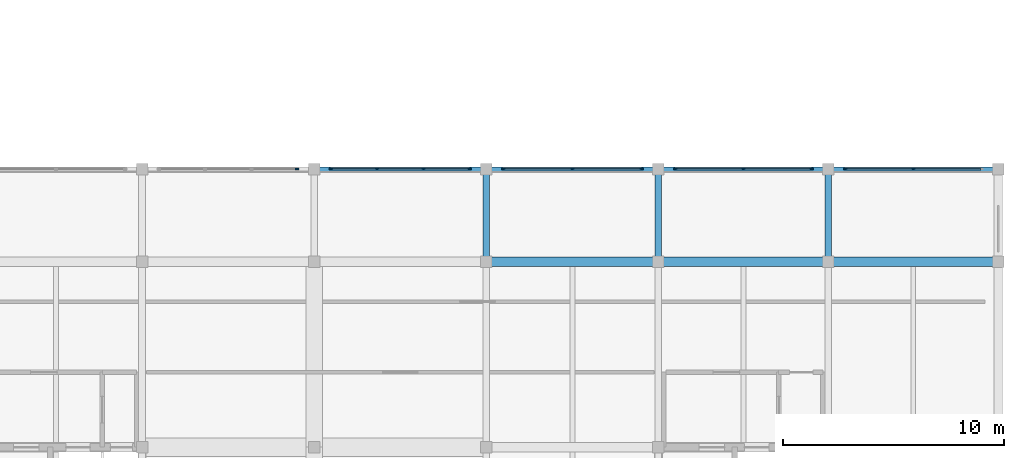
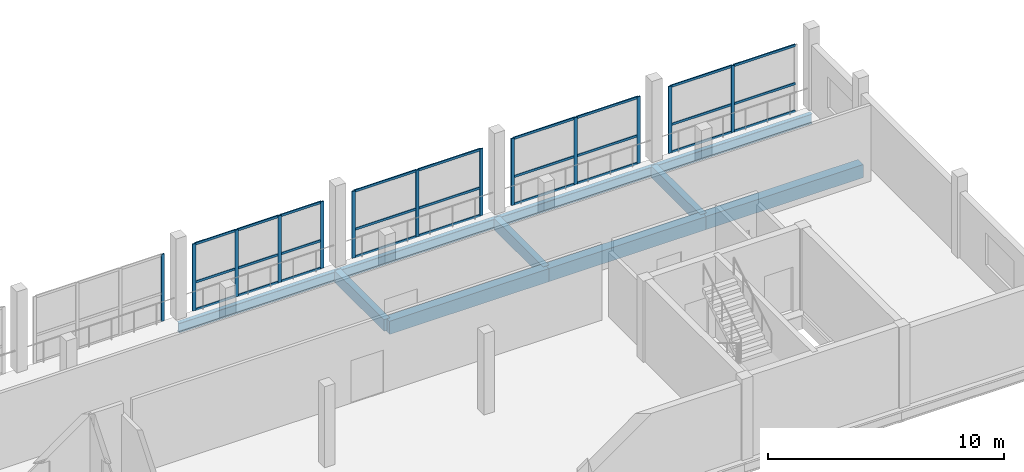
# One storey, part 30 of 53: 40 members, 10 beams, 5 elements without a shape of their own.
"""IFC4 building model written with IfcOpenShell, lengths in metres."""

from ifc_helpers import new_model, si_unit, direction, frame, origin, origin_2d, place, context, subcontext, project, spatial, rectangle, i_section, extrude, material, material_profile, profile_set, type_object, element, aggregate, save


model = new_model("IFC4")

# Units and contexts
model_context = context("Model", 3, precision=1e-05, world=origin(), true_north=direction((0.0, 1.0)))
body_context = subcontext(model_context, "Body", "Model", "MODEL_VIEW")
ifc_project = project(units=[si_unit("LENGTHUNIT", "METRE"), si_unit("AREAUNIT", "SQUARE_METRE"), si_unit("VOLUMEUNIT", "CUBIC_METRE"), si_unit("PLANEANGLEUNIT", "RADIAN"), si_unit("MASSUNIT", "GRAM", prefix="KILO")], contexts=[model_context])

# Site, building, storey
site_placement = place(None, origin())
site = spatial("IfcSite", under=ifc_project, at=site_placement, CompositionType="ELEMENT")
building_placement = place(site_placement, origin())
building = spatial("IfcBuilding", under=site, at=building_placement, Name="Vharandega Faculty of Natural Sciences", CompositionType="ELEMENT")
storey_placement = place(building_placement, frame((0.0, 0.0, 10.199951171875)))
storey = spatial("IfcBuildingStorey", under=building, at=storey_placement, Name="L02", CompositionType="ELEMENT", Elevation=10.199951171875)

# Curtain wall, member
ifc_material_1 = material(Name="Aluminium and solar-control glass curtain wall", Category="aluminium")
curtain_wall_type_1 = type_object("IfcCurtainWallType", Name="Unitised Curtain Wall System CW-10", PredefinedType="NOTDEFINED", material=ifc_material_1)
curtain_wall_1_placement = place(storey_placement, origin())
curtain_wall_1 = element("IfcCurtainWall", 1, at=curtain_wall_1_placement, inside=storey, type_object=curtain_wall_type_1, Name="Curtain Wall CW-L02-009", PredefinedType="NOTDEFINED")
ifc_material_2 = material(Name="Thermally broken aluminium 6063-T6", Category="aluminium")
ifc_material_profile_1 = material_profile(ifc_material_2, rectangle(XDim=0.06005859375, YDim=0.159912109375, at=origin_2d()), Name="ALU 60x160")
ifc_profile_set_1 = profile_set([ifc_material_profile_1], Name="Thermally broken aluminium 6063-T6")
member_type_1 = type_object("IfcMemberType", Name="CW Mullion 60x160", PredefinedType="MULLION", material=ifc_profile_set_1)
member_1_placement = place(storey_placement, frame((129.6298828125, 85.0, 0.0), z_axis=(0.0, 0.0, 1.0), x_axis=(0.0, 1.0, 0.0)))
member_1 = element("IfcMember", 2, at=member_1_placement, type_object=member_type_1, Name="CW-10 mullion 4", PredefinedType="MULLION", context=body_context, shape_type="SweptSolid", body=[
    extrude(rectangle(XDim=0.06005859375, YDim=0.159912109375, at=origin_2d()), origin(), (0.0, 0.0, 1.0), 3.4599609375),
])
aggregate(curtain_wall_1, [member_1])

# Curtain wall, members
ifc_material_3 = material(Name="Aluminium and solar-control glass curtain wall", Category="aluminium")
curtain_wall_type_2 = type_object("IfcCurtainWallType", Name="Unitised Curtain Wall System CW-11", PredefinedType="NOTDEFINED", material=ifc_material_3)
curtain_wall_2_placement = place(storey_placement, origin())
curtain_wall_2 = element("IfcCurtainWall", 3, at=curtain_wall_2_placement, inside=storey, type_object=curtain_wall_type_2, Name="Curtain Wall CW-L02-010", PredefinedType="NOTDEFINED")
member_2_placement = place(storey_placement, frame((131.169921875, 85.0, 0.0), z_axis=(0.0, 0.0, 1.0), x_axis=(0.0, 1.0, 0.0)))
member_2 = element("IfcMember", 4, at=member_2_placement, type_object=member_type_1, Name="CW-11 mullion 1", PredefinedType="MULLION", context=body_context, shape_type="SweptSolid", body=[
    extrude(rectangle(XDim=0.06005859375, YDim=0.159912109375, at=origin_2d()), origin(), (0.0, 0.0, 1.0), 3.4599609375),
])
member_3_placement = place(storey_placement, frame((133.24658203125, 85.0, 0.0), z_axis=(0.0, 0.0, 1.0), x_axis=(0.0, 1.0, 0.0)))
member_3 = element("IfcMember", 5, at=member_3_placement, type_object=member_type_1, Name="CW-11 mullion 2", PredefinedType="MULLION", context=body_context, shape_type="SweptSolid", body=[
    extrude(rectangle(XDim=0.06005859375, YDim=0.159912109375, at=origin_2d()), origin(), (0.0, 0.0, 1.0), 3.4599609375),
])
member_4_placement = place(storey_placement, frame((135.353271484375, 85.0, 0.0), z_axis=(0.0, 0.0, 1.0), x_axis=(0.0, 1.0, 0.0)))
member_4 = element("IfcMember", 6, at=member_4_placement, type_object=member_type_1, Name="CW-11 mullion 3", PredefinedType="MULLION", context=body_context, shape_type="SweptSolid", body=[
    extrude(rectangle(XDim=0.06005859375, YDim=0.159912109375, at=origin_2d()), origin(), (0.0, 0.0, 1.0), 3.4599609375),
])
member_5_placement = place(storey_placement, frame((137.429931640625, 85.0, 0.0), z_axis=(0.0, 0.0, 1.0), x_axis=(0.0, 1.0, 0.0)))
member_5 = element("IfcMember", 7, at=member_5_placement, type_object=member_type_1, Name="CW-11 mullion 4", PredefinedType="MULLION", context=body_context, shape_type="SweptSolid", body=[
    extrude(rectangle(XDim=0.06005859375, YDim=0.159912109375, at=origin_2d()), origin(), (0.0, 0.0, 1.0), 3.4599609375),
])

ifc_material_4 = material(Name="Aluminium and solar-control glass curtain wall", Category="aluminium")
curtain_wall_type_3 = type_object("IfcCurtainWallType", Name="Unitised Curtain Wall System CW-12", PredefinedType="NOTDEFINED", material=ifc_material_4)
curtain_wall_3_placement = place(storey_placement, origin())
curtain_wall_3 = element("IfcCurtainWall", 8, at=curtain_wall_3_placement, inside=storey, type_object=curtain_wall_type_3, Name="Curtain Wall CW-L02-011", PredefinedType="NOTDEFINED")
member_6_placement = place(storey_placement, frame((138.969970703125, 85.0, 0.0), z_axis=(0.0, 0.0, 1.0), x_axis=(0.0, 1.0, 0.0)))
member_6 = element("IfcMember", 9, at=member_6_placement, type_object=member_type_1, Name="CW-12 mullion 1", PredefinedType="MULLION", context=body_context, shape_type="SweptSolid", body=[
    extrude(rectangle(XDim=0.06005859375, YDim=0.159912109375, at=origin_2d()), origin(), (0.0, 0.0, 1.0), 3.4599609375),
])
member_7_placement = place(storey_placement, frame((142.10009765625, 85.0, 0.0), z_axis=(0.0, 0.0, 1.0), x_axis=(0.0, 1.0, 0.0)))
member_7 = element("IfcMember", 10, at=member_7_placement, type_object=member_type_1, Name="CW-12 mullion 2", PredefinedType="MULLION", context=body_context, shape_type="SweptSolid", body=[
    extrude(rectangle(XDim=0.06005859375, YDim=0.159912109375, at=origin_2d()), origin(), (0.0, 0.0, 1.0), 3.4599609375),
])
member_8_placement = place(storey_placement, frame((145.22998046875, 85.0, 0.0), z_axis=(0.0, 0.0, 1.0), x_axis=(0.0, 1.0, 0.0)))
member_8 = element("IfcMember", 11, at=member_8_placement, type_object=member_type_1, Name="CW-12 mullion 3", PredefinedType="MULLION", context=body_context, shape_type="SweptSolid", body=[
    extrude(rectangle(XDim=0.06005859375, YDim=0.159912109375, at=origin_2d()), origin(), (0.0, 0.0, 1.0), 3.4599609375),
])

ifc_material_5 = material(Name="Aluminium and solar-control glass curtain wall", Category="aluminium")
curtain_wall_type_4 = type_object("IfcCurtainWallType", Name="Unitised Curtain Wall System CW-13", PredefinedType="NOTDEFINED", material=ifc_material_5)
curtain_wall_4_placement = place(storey_placement, origin())
curtain_wall_4 = element("IfcCurtainWall", 12, at=curtain_wall_4_placement, inside=storey, type_object=curtain_wall_type_4, Name="Curtain Wall CW-L02-012", PredefinedType="NOTDEFINED")
member_9_placement = place(storey_placement, frame((146.77001953125, 85.0, 0.0), z_axis=(0.0, 0.0, 1.0), x_axis=(0.0, 1.0, 0.0)))
member_9 = element("IfcMember", 13, at=member_9_placement, type_object=member_type_1, Name="CW-13 mullion 1", PredefinedType="MULLION", context=body_context, shape_type="SweptSolid", body=[
    extrude(rectangle(XDim=0.06005859375, YDim=0.159912109375, at=origin_2d()), origin(), (0.0, 0.0, 1.0), 3.4599609375),
])
member_10_placement = place(storey_placement, frame((149.85009765625, 85.0, 0.0), z_axis=(0.0, 0.0, 1.0), x_axis=(0.0, 1.0, 0.0)))
member_10 = element("IfcMember", 14, at=member_10_placement, type_object=member_type_1, Name="CW-13 mullion 2", PredefinedType="MULLION", context=body_context, shape_type="SweptSolid", body=[
    extrude(rectangle(XDim=0.06005859375, YDim=0.159912109375, at=origin_2d()), origin(), (0.0, 0.0, 1.0), 3.4599609375),
])
member_11_placement = place(storey_placement, frame((152.929931640625, 85.0, 0.0), z_axis=(0.0, 0.0, 1.0), x_axis=(0.0, 1.0, 0.0)))
member_11 = element("IfcMember", 15, at=member_11_placement, type_object=member_type_1, Name="CW-13 mullion 3", PredefinedType="MULLION", context=body_context, shape_type="SweptSolid", body=[
    extrude(rectangle(XDim=0.06005859375, YDim=0.159912109375, at=origin_2d()), origin(), (0.0, 0.0, 1.0), 3.4599609375),
])

ifc_material_6 = material(Name="Aluminium and solar-control glass curtain wall", Category="aluminium")
curtain_wall_type_5 = type_object("IfcCurtainWallType", Name="Unitised Curtain Wall System CW-14", PredefinedType="NOTDEFINED", material=ifc_material_6)
curtain_wall_5_placement = place(storey_placement, origin())
curtain_wall_5 = element("IfcCurtainWall", 16, at=curtain_wall_5_placement, inside=storey, type_object=curtain_wall_type_5, Name="Curtain Wall CW-L02-013", PredefinedType="NOTDEFINED")
member_12_placement = place(storey_placement, frame((154.469970703125, 85.0, 0.0), z_axis=(0.0, 0.0, 1.0), x_axis=(0.0, 1.0, 0.0)))
member_12 = element("IfcMember", 17, at=member_12_placement, type_object=member_type_1, Name="CW-14 mullion 1", PredefinedType="MULLION", context=body_context, shape_type="SweptSolid", body=[
    extrude(rectangle(XDim=0.06005859375, YDim=0.159912109375, at=origin_2d()), origin(), (0.0, 0.0, 1.0), 3.4599609375),
])
member_13_placement = place(storey_placement, frame((157.550048828125, 85.0, 0.0), z_axis=(0.0, 0.0, 1.0), x_axis=(0.0, 1.0, 0.0)))
member_13 = element("IfcMember", 18, at=member_13_placement, type_object=member_type_1, Name="CW-14 mullion 2", PredefinedType="MULLION", context=body_context, shape_type="SweptSolid", body=[
    extrude(rectangle(XDim=0.06005859375, YDim=0.159912109375, at=origin_2d()), origin(), (0.0, 0.0, 1.0), 3.4599609375),
])

# Member
ifc_material_7 = material(Name="Thermally broken aluminium 6063-T6", Category="aluminium")
ifc_material_profile_2 = material_profile(ifc_material_7, rectangle(XDim=0.06005859375, YDim=0.1201171875, at=origin_2d()), Name="ALU 60x120")
ifc_profile_set_2 = profile_set([ifc_material_profile_2], Name="Thermally broken aluminium 6063-T6")
member_type_2 = type_object("IfcMemberType", Name="CW Transom 60x120", PredefinedType="USERDEFINED", material=ifc_profile_set_2)
member_14_placement = place(storey_placement, frame((131.199951171875, 85.0, 0.030029296875), z_axis=(1.0, 0.0, 0.0), x_axis=(0.0, 1.0, 0.0)))
member_14 = element("IfcMember", 19, at=member_14_placement, type_object=member_type_2, Name="CW-11 transom 1.1", ObjectType="TRANSOM", PredefinedType="USERDEFINED", context=body_context, shape_type="SweptSolid", body=[
    extrude(rectangle(XDim=0.06005859375, YDim=0.1201171875, at=origin_2d()), origin(), (0.0, 0.0, 1.0), 2.0166015625),
])

member_15_placement = place(storey_placement, frame((131.199951171875, 85.0, 1.453369140625), z_axis=(1.0, 0.0, 0.0), x_axis=(0.0, 1.0, 0.0)))
member_15 = element("IfcMember", 20, at=member_15_placement, type_object=member_type_2, Name="CW-11 transom 1.2", ObjectType="TRANSOM", PredefinedType="USERDEFINED", context=body_context, shape_type="SweptSolid", body=[
    extrude(rectangle(XDim=0.06005859375, YDim=0.1201171875, at=origin_2d()), origin(), (0.0, 0.0, 1.0), 2.0166015625),
])

member_16_placement = place(storey_placement, frame((131.199951171875, 85.0, 3.429931640625), z_axis=(1.0, 0.0, 0.0), x_axis=(0.0, 1.0, 0.0)))
member_16 = element("IfcMember", 21, at=member_16_placement, type_object=member_type_2, Name="CW-11 transom 1.3", ObjectType="TRANSOM", PredefinedType="USERDEFINED", context=body_context, shape_type="SweptSolid", body=[
    extrude(rectangle(XDim=0.06005859375, YDim=0.1201171875, at=origin_2d()), origin(), (0.0, 0.0, 1.0), 2.0166015625),
])

member_17_placement = place(storey_placement, frame((133.276611328125, 85.0, 0.030029296875), z_axis=(1.0, 0.0, 0.0), x_axis=(0.0, 1.0, 0.0)))
member_17 = element("IfcMember", 22, at=member_17_placement, type_object=member_type_2, Name="CW-11 transom 2.1", ObjectType="TRANSOM", PredefinedType="USERDEFINED", context=body_context, shape_type="SweptSolid", body=[
    extrude(rectangle(XDim=0.06005859375, YDim=0.1201171875, at=origin_2d()), origin(), (0.0, 0.0, 1.0), 2.046630859375),
])

member_18_placement = place(storey_placement, frame((133.276611328125, 85.0, 1.453369140625), z_axis=(1.0, 0.0, 0.0), x_axis=(0.0, 1.0, 0.0)))
member_18 = element("IfcMember", 23, at=member_18_placement, type_object=member_type_2, Name="CW-11 transom 2.2", ObjectType="TRANSOM", PredefinedType="USERDEFINED", context=body_context, shape_type="SweptSolid", body=[
    extrude(rectangle(XDim=0.06005859375, YDim=0.1201171875, at=origin_2d()), origin(), (0.0, 0.0, 1.0), 2.046630859375),
])

member_19_placement = place(storey_placement, frame((133.276611328125, 85.0, 3.429931640625), z_axis=(1.0, 0.0, 0.0), x_axis=(0.0, 1.0, 0.0)))
member_19 = element("IfcMember", 24, at=member_19_placement, type_object=member_type_2, Name="CW-11 transom 2.3", ObjectType="TRANSOM", PredefinedType="USERDEFINED", context=body_context, shape_type="SweptSolid", body=[
    extrude(rectangle(XDim=0.06005859375, YDim=0.1201171875, at=origin_2d()), origin(), (0.0, 0.0, 1.0), 2.046630859375),
])

member_20_placement = place(storey_placement, frame((135.38330078125, 85.0, 0.030029296875), z_axis=(1.0, 0.0, 0.0), x_axis=(0.0, 1.0, 0.0)))
member_20 = element("IfcMember", 25, at=member_20_placement, type_object=member_type_2, Name="CW-11 transom 3.1", ObjectType="TRANSOM", PredefinedType="USERDEFINED", context=body_context, shape_type="SweptSolid", body=[
    extrude(rectangle(XDim=0.06005859375, YDim=0.1201171875, at=origin_2d()), origin(), (0.0, 0.0, 1.0), 2.0166015625),
])

member_21_placement = place(storey_placement, frame((135.38330078125, 85.0, 1.453369140625), z_axis=(1.0, 0.0, 0.0), x_axis=(0.0, 1.0, 0.0)))
member_21 = element("IfcMember", 26, at=member_21_placement, type_object=member_type_2, Name="CW-11 transom 3.2", ObjectType="TRANSOM", PredefinedType="USERDEFINED", context=body_context, shape_type="SweptSolid", body=[
    extrude(rectangle(XDim=0.06005859375, YDim=0.1201171875, at=origin_2d()), origin(), (0.0, 0.0, 1.0), 2.0166015625),
])

member_22_placement = place(storey_placement, frame((135.38330078125, 85.0, 3.429931640625), z_axis=(1.0, 0.0, 0.0), x_axis=(0.0, 1.0, 0.0)))
member_22 = element("IfcMember", 27, at=member_22_placement, type_object=member_type_2, Name="CW-11 transom 3.3", ObjectType="TRANSOM", PredefinedType="USERDEFINED", context=body_context, shape_type="SweptSolid", body=[
    extrude(rectangle(XDim=0.06005859375, YDim=0.1201171875, at=origin_2d()), origin(), (0.0, 0.0, 1.0), 2.0166015625),
])

aggregate(curtain_wall_2, [member_2, member_3, member_4, member_5, member_14, member_15, member_16, member_17, member_18, member_19, member_20, member_21, member_22])

member_23_placement = place(storey_placement, frame((139.0, 85.0, 0.030029296875), z_axis=(1.0, 0.0, 0.0), x_axis=(0.0, 1.0, 0.0)))
member_23 = element("IfcMember", 28, at=member_23_placement, type_object=member_type_2, Name="CW-12 transom 1.1", ObjectType="TRANSOM", PredefinedType="USERDEFINED", context=body_context, shape_type="SweptSolid", body=[
    extrude(rectangle(XDim=0.06005859375, YDim=0.1201171875, at=origin_2d()), origin(), (0.0, 0.0, 1.0), 3.070068359375),
])

member_24_placement = place(storey_placement, frame((139.0, 85.0, 1.453369140625), z_axis=(1.0, 0.0, 0.0), x_axis=(0.0, 1.0, 0.0)))
member_24 = element("IfcMember", 29, at=member_24_placement, type_object=member_type_2, Name="CW-12 transom 1.2", ObjectType="TRANSOM", PredefinedType="USERDEFINED", context=body_context, shape_type="SweptSolid", body=[
    extrude(rectangle(XDim=0.06005859375, YDim=0.1201171875, at=origin_2d()), origin(), (0.0, 0.0, 1.0), 3.070068359375),
])

member_25_placement = place(storey_placement, frame((139.0, 85.0, 3.429931640625), z_axis=(1.0, 0.0, 0.0), x_axis=(0.0, 1.0, 0.0)))
member_25 = element("IfcMember", 30, at=member_25_placement, type_object=member_type_2, Name="CW-12 transom 1.3", ObjectType="TRANSOM", PredefinedType="USERDEFINED", context=body_context, shape_type="SweptSolid", body=[
    extrude(rectangle(XDim=0.06005859375, YDim=0.1201171875, at=origin_2d()), origin(), (0.0, 0.0, 1.0), 3.070068359375),
])

member_26_placement = place(storey_placement, frame((142.1298828125, 85.0, 0.030029296875), z_axis=(1.0, 0.0, 0.0), x_axis=(0.0, 1.0, 0.0)))
member_26 = element("IfcMember", 31, at=member_26_placement, type_object=member_type_2, Name="CW-12 transom 2.1", ObjectType="TRANSOM", PredefinedType="USERDEFINED", context=body_context, shape_type="SweptSolid", body=[
    extrude(rectangle(XDim=0.06005859375, YDim=0.1201171875, at=origin_2d()), origin(), (0.0, 0.0, 1.0), 3.070068359375),
])

member_27_placement = place(storey_placement, frame((142.1298828125, 85.0, 1.453369140625), z_axis=(1.0, 0.0, 0.0), x_axis=(0.0, 1.0, 0.0)))
member_27 = element("IfcMember", 32, at=member_27_placement, type_object=member_type_2, Name="CW-12 transom 2.2", ObjectType="TRANSOM", PredefinedType="USERDEFINED", context=body_context, shape_type="SweptSolid", body=[
    extrude(rectangle(XDim=0.06005859375, YDim=0.1201171875, at=origin_2d()), origin(), (0.0, 0.0, 1.0), 3.070068359375),
])

member_28_placement = place(storey_placement, frame((142.1298828125, 85.0, 3.429931640625), z_axis=(1.0, 0.0, 0.0), x_axis=(0.0, 1.0, 0.0)))
member_28 = element("IfcMember", 33, at=member_28_placement, type_object=member_type_2, Name="CW-12 transom 2.3", ObjectType="TRANSOM", PredefinedType="USERDEFINED", context=body_context, shape_type="SweptSolid", body=[
    extrude(rectangle(XDim=0.06005859375, YDim=0.1201171875, at=origin_2d()), origin(), (0.0, 0.0, 1.0), 3.070068359375),
])

aggregate(curtain_wall_3, [member_6, member_7, member_8, member_23, member_24, member_25, member_26, member_27, member_28])

member_29_placement = place(storey_placement, frame((146.800048828125, 85.0, 0.030029296875), z_axis=(1.0, 0.0, 0.0), x_axis=(0.0, 1.0, 0.0)))
member_29 = element("IfcMember", 34, at=member_29_placement, type_object=member_type_2, Name="CW-13 transom 1.1", ObjectType="TRANSOM", PredefinedType="USERDEFINED", context=body_context, shape_type="SweptSolid", body=[
    extrude(rectangle(XDim=0.06005859375, YDim=0.1201171875, at=origin_2d()), origin(), (0.0, 0.0, 1.0), 3.02001953125),
])

member_30_placement = place(storey_placement, frame((146.800048828125, 85.0, 1.453369140625), z_axis=(1.0, 0.0, 0.0), x_axis=(0.0, 1.0, 0.0)))
member_30 = element("IfcMember", 35, at=member_30_placement, type_object=member_type_2, Name="CW-13 transom 1.2", ObjectType="TRANSOM", PredefinedType="USERDEFINED", context=body_context, shape_type="SweptSolid", body=[
    extrude(rectangle(XDim=0.06005859375, YDim=0.1201171875, at=origin_2d()), origin(), (0.0, 0.0, 1.0), 3.02001953125),
])

member_31_placement = place(storey_placement, frame((146.800048828125, 85.0, 3.429931640625), z_axis=(1.0, 0.0, 0.0), x_axis=(0.0, 1.0, 0.0)))
member_31 = element("IfcMember", 36, at=member_31_placement, type_object=member_type_2, Name="CW-13 transom 1.3", ObjectType="TRANSOM", PredefinedType="USERDEFINED", context=body_context, shape_type="SweptSolid", body=[
    extrude(rectangle(XDim=0.06005859375, YDim=0.1201171875, at=origin_2d()), origin(), (0.0, 0.0, 1.0), 3.02001953125),
])

member_32_placement = place(storey_placement, frame((149.8798828125, 85.0, 0.030029296875), z_axis=(1.0, 0.0, 0.0), x_axis=(0.0, 1.0, 0.0)))
member_32 = element("IfcMember", 37, at=member_32_placement, type_object=member_type_2, Name="CW-13 transom 2.1", ObjectType="TRANSOM", PredefinedType="USERDEFINED", context=body_context, shape_type="SweptSolid", body=[
    extrude(rectangle(XDim=0.06005859375, YDim=0.1201171875, at=origin_2d()), origin(), (0.0, 0.0, 1.0), 3.02001953125),
])

member_33_placement = place(storey_placement, frame((149.8798828125, 85.0, 1.453369140625), z_axis=(1.0, 0.0, 0.0), x_axis=(0.0, 1.0, 0.0)))
member_33 = element("IfcMember", 38, at=member_33_placement, type_object=member_type_2, Name="CW-13 transom 2.2", ObjectType="TRANSOM", PredefinedType="USERDEFINED", context=body_context, shape_type="SweptSolid", body=[
    extrude(rectangle(XDim=0.06005859375, YDim=0.1201171875, at=origin_2d()), origin(), (0.0, 0.0, 1.0), 3.02001953125),
])

member_34_placement = place(storey_placement, frame((149.8798828125, 85.0, 3.429931640625), z_axis=(1.0, 0.0, 0.0), x_axis=(0.0, 1.0, 0.0)))
member_34 = element("IfcMember", 39, at=member_34_placement, type_object=member_type_2, Name="CW-13 transom 2.3", ObjectType="TRANSOM", PredefinedType="USERDEFINED", context=body_context, shape_type="SweptSolid", body=[
    extrude(rectangle(XDim=0.06005859375, YDim=0.1201171875, at=origin_2d()), origin(), (0.0, 0.0, 1.0), 3.02001953125),
])

aggregate(curtain_wall_4, [member_9, member_10, member_11, member_29, member_30, member_31, member_32, member_33, member_34])

member_35_placement = place(storey_placement, frame((154.5, 85.0, 0.030029296875), z_axis=(1.0, 0.0, 0.0), x_axis=(0.0, 1.0, 0.0)))
member_35 = element("IfcMember", 40, at=member_35_placement, type_object=member_type_2, Name="CW-14 transom 1.1", ObjectType="TRANSOM", PredefinedType="USERDEFINED", context=body_context, shape_type="SweptSolid", body=[
    extrude(rectangle(XDim=0.06005859375, YDim=0.1201171875, at=origin_2d()), origin(), (0.0, 0.0, 1.0), 3.02001953125),
])

member_36_placement = place(storey_placement, frame((154.5, 85.0, 1.453369140625), z_axis=(1.0, 0.0, 0.0), x_axis=(0.0, 1.0, 0.0)))
member_36 = element("IfcMember", 41, at=member_36_placement, type_object=member_type_2, Name="CW-14 transom 1.2", ObjectType="TRANSOM", PredefinedType="USERDEFINED", context=body_context, shape_type="SweptSolid", body=[
    extrude(rectangle(XDim=0.06005859375, YDim=0.1201171875, at=origin_2d()), origin(), (0.0, 0.0, 1.0), 3.02001953125),
])

member_37_placement = place(storey_placement, frame((154.5, 85.0, 3.429931640625), z_axis=(1.0, 0.0, 0.0), x_axis=(0.0, 1.0, 0.0)))
member_37 = element("IfcMember", 42, at=member_37_placement, type_object=member_type_2, Name="CW-14 transom 1.3", ObjectType="TRANSOM", PredefinedType="USERDEFINED", context=body_context, shape_type="SweptSolid", body=[
    extrude(rectangle(XDim=0.06005859375, YDim=0.1201171875, at=origin_2d()), origin(), (0.0, 0.0, 1.0), 3.02001953125),
])

member_38_placement = place(storey_placement, frame((157.580078125, 85.0, 0.030029296875), z_axis=(1.0, 0.0, 0.0), x_axis=(0.0, 1.0, 0.0)))
member_38 = element("IfcMember", 43, at=member_38_placement, type_object=member_type_2, Name="CW-14 transom 2.1", ObjectType="TRANSOM", PredefinedType="USERDEFINED", context=body_context, shape_type="SweptSolid", body=[
    extrude(rectangle(XDim=0.06005859375, YDim=0.1201171875, at=origin_2d()), origin(), (0.0, 0.0, 1.0), 3.02001953125),
])

member_39_placement = place(storey_placement, frame((157.580078125, 85.0, 1.453369140625), z_axis=(1.0, 0.0, 0.0), x_axis=(0.0, 1.0, 0.0)))
member_39 = element("IfcMember", 44, at=member_39_placement, type_object=member_type_2, Name="CW-14 transom 2.2", ObjectType="TRANSOM", PredefinedType="USERDEFINED", context=body_context, shape_type="SweptSolid", body=[
    extrude(rectangle(XDim=0.06005859375, YDim=0.1201171875, at=origin_2d()), origin(), (0.0, 0.0, 1.0), 3.02001953125),
])

member_40_placement = place(storey_placement, frame((157.580078125, 85.0, 3.429931640625), z_axis=(1.0, 0.0, 0.0), x_axis=(0.0, 1.0, 0.0)))
member_40 = element("IfcMember", 45, at=member_40_placement, type_object=member_type_2, Name="CW-14 transom 2.3", ObjectType="TRANSOM", PredefinedType="USERDEFINED", context=body_context, shape_type="SweptSolid", body=[
    extrude(rectangle(XDim=0.06005859375, YDim=0.1201171875, at=origin_2d()), origin(), (0.0, 0.0, 1.0), 3.02001953125),
])

aggregate(curtain_wall_5, [member_12, member_13, member_35, member_36, member_37, member_38, member_39, member_40])

# Beams
ifc_material_8 = material(Name="Glulam GL28h", Category="wood")
ifc_material_profile_3 = material_profile(ifc_material_8, rectangle(XDim=0.300048828125, YDim=0.60009765625, at=origin_2d()), Name="GL28h 300x600")
ifc_profile_set_3 = profile_set([ifc_material_profile_3], Name="Glulam GL28h")
beam_type_1 = type_object("IfcBeamType", Name="Glulam Floor Beam 300x600", PredefinedType="BEAM", material=ifc_profile_set_3)
for number, where, z_axis, x_axis, name in (
    (46, (138.199951171875, 80.800048828125, -0.64990234375), (0.0, 1.0, 0.0), (-1.0, 0.0, 0.0), "Beam L02 18/L-M"),
    (47, (146.0, 80.800048828125, -0.64990234375), (0.0, 1.0, 0.0), (-1.0, 0.0, 0.0), "Beam L02 19/L-M"),
    (48, (153.699951171875, 80.800048828125, -0.64990234375), (0.0, 1.0, 0.0), (-1.0, 0.0, 0.0), "Beam L02 20/L-M"),
):
    element("IfcBeam", number, at=place(storey_placement, frame(where, z_axis=z_axis, x_axis=x_axis)), inside=storey, type_object=beam_type_1, Name=name, PredefinedType="BEAM", context=body_context, shape_type="SweptSolid", body=[
        extrude(rectangle(XDim=0.300048828125, YDim=0.60009765625, at=origin_2d()), origin(), (0.0, 0.0, 1.0), 4.199951171875),
    ])
ifc_material_9 = material(Name="Glulam GL32h", Category="wood")
ifc_material_profile_4 = material_profile(ifc_material_9, rectangle(XDim=0.43994140625, YDim=0.679931640625, at=origin_2d()), Name="GL32h 440x680")
ifc_profile_set_4 = profile_set([ifc_material_profile_4], Name="Glulam GL32h")
beam_type_2 = type_object("IfcBeamType", Name="Glulam Girder 440x680", PredefinedType="BEAM", material=ifc_profile_set_4)
beam_placement = place(storey_placement, frame((138.199951171875, 80.800048828125, -0.68994140625), z_axis=(1.0, 0.0, 0.0), x_axis=(0.0, 1.0, 0.0)))
element("IfcBeam", 49, at=beam_placement, inside=storey, type_object=beam_type_2, Name="Beam L02 L/18-19", PredefinedType="BEAM", context=body_context, shape_type="SweptSolid", body=[
    extrude(rectangle(XDim=0.43994140625, YDim=0.679931640625, at=origin_2d()), origin(), (0.0, 0.0, 1.0), 7.800048828125),
])
for number, where, z_axis, x_axis, name in (
    (50, (146.0, 80.800048828125, -0.68994140625), (1.0, 0.0, 0.0), (0.0, 1.0, 0.0), "Beam L02 L/19-20"),
    (51, (153.699951171875, 80.800048828125, -0.68994140625), (1.0, 0.0, 0.0), (0.0, 1.0, 0.0), "Beam L02 L/20-21"),
):
    element("IfcBeam", number, at=place(storey_placement, frame(where, z_axis=z_axis, x_axis=x_axis)), inside=storey, type_object=beam_type_2, Name=name, PredefinedType="BEAM", context=body_context, shape_type="SweptSolid", body=[
        extrude(rectangle(XDim=0.43994140625, YDim=0.679931640625, at=origin_2d()), origin(), (0.0, 0.0, 1.0), 7.699951171875),
    ])
ifc_material_10 = material(Name="Steel S355", Category="steel")
ifc_material_profile_5 = material_profile(ifc_material_10, i_section(OverallWidth=0.199951171875, OverallDepth=0.5, WebThickness=0.01025390625, FlangeThickness=0.01611328125, FilletRadius=0.02099609375, at=origin_2d()), Name="IPE 500")
ifc_profile_set_5 = profile_set([ifc_material_profile_5], Name="Steel S355")
beam_type_3 = type_object("IfcBeamType", Name="Steel Spandrel Beam IPE 500", PredefinedType="SPANDREL", material=ifc_profile_set_5)
for number, where, z_axis, x_axis, name in (
    (52, (130.39990234375, 85.0, -0.599853515625), (1.0, 0.0, 0.0), (0.0, 1.0, 0.0), "Beam L02 M/17-18"),
    (53, (138.199951171875, 85.0, -0.599853515625), (1.0, 0.0, 0.0), (0.0, 1.0, 0.0), "Beam L02 M/18-19"),
):
    element("IfcBeam", number, at=place(storey_placement, frame(where, z_axis=z_axis, x_axis=x_axis)), inside=storey, type_object=beam_type_3, Name=name, PredefinedType="SPANDREL", context=body_context, shape_type="SweptSolid", body=[
        extrude(i_section(OverallWidth=0.199951171875, OverallDepth=0.5, WebThickness=0.01025390625, FlangeThickness=0.01611328125, FilletRadius=0.02099609375, at=origin_2d()), origin(), (0.0, 0.0, 1.0), 7.800048828125),
    ])
for number, where, z_axis, x_axis, name in (
    (54, (146.0, 85.0, -0.599853515625), (1.0, 0.0, 0.0), (0.0, 1.0, 0.0), "Beam L02 M/19-20"),
    (55, (153.699951171875, 85.0, -0.599853515625), (1.0, 0.0, 0.0), (0.0, 1.0, 0.0), "Beam L02 M/20-21"),
):
    element("IfcBeam", number, at=place(storey_placement, frame(where, z_axis=z_axis, x_axis=x_axis)), inside=storey, type_object=beam_type_3, Name=name, PredefinedType="SPANDREL", context=body_context, shape_type="SweptSolid", body=[
        extrude(i_section(OverallWidth=0.199951171875, OverallDepth=0.5, WebThickness=0.01025390625, FlangeThickness=0.01611328125, FilletRadius=0.02099609375, at=origin_2d()), origin(), (0.0, 0.0, 1.0), 7.699951171875),
    ])

save(model, "model.ifc")
